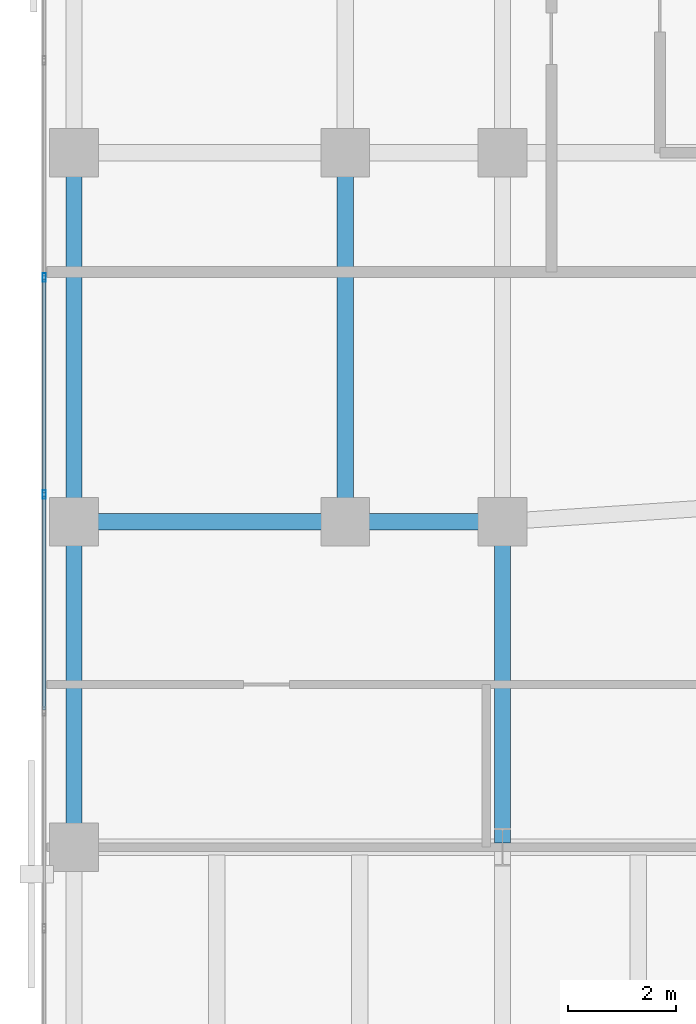
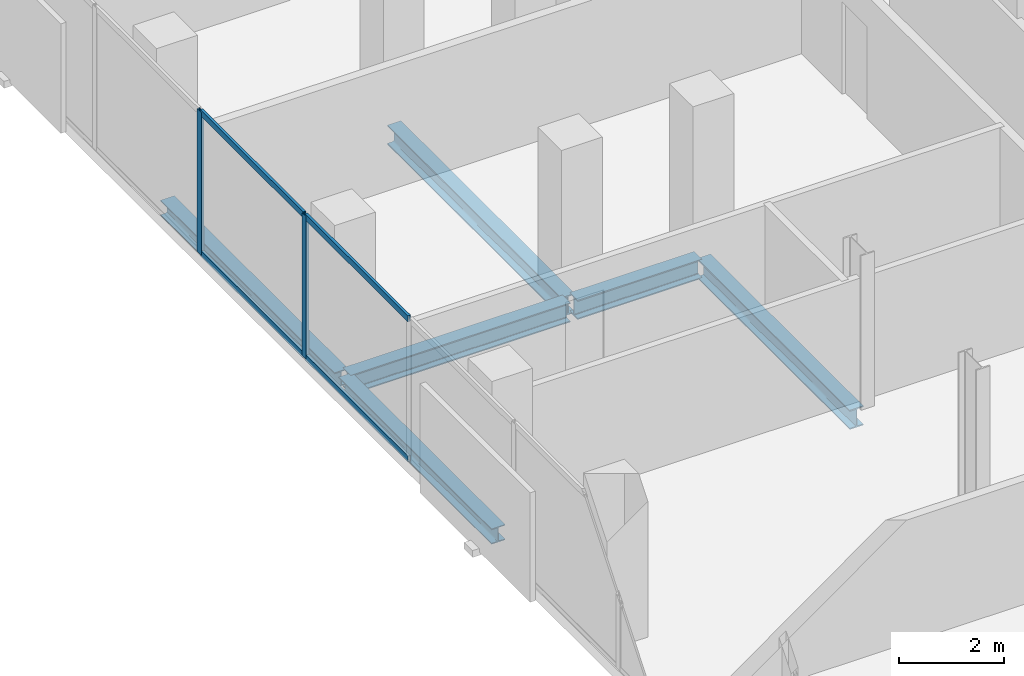
# One storey, part 9 of 33: 6 beams, 6 members, 1 element without a shape of its own.
"""IFC4 building model written with IfcOpenShell, lengths in metres."""

import ifcopenshell
import ifcopenshell.guid

model = None  # the IFC model being written
_history = None  # IfcOwnerHistory: only IFC2X3 demands one
_inside = {}  # id of a spatial element -> (the spatial element, [elements in it])
_under = {}  # id of a project, library or spatial element -> (it, [spatial elements below it])
_declared = {}  # id of a project -> (the project, [libraries it declares])
_typed = {}  # id of a type object -> (the type object, [elements of that type])
_made_of = {}  # id of a material, layer set ... -> (it, [elements and type objects made of it])


def new_model(schema):
    """Start an empty IFC model of exactly this schema.

    Asked for "IFC4X3", IfcOpenShell would pick the latest addendum, in which some entities
    have other attributes; the version numbers below select the first issue.
    IFC2X3 requires an IfcOwnerHistory on every rooted entity: one is made here for all.
    """
    global model, _history
    if schema == "IFC4X3":
        model = ifcopenshell.file(schema_version=(4, 3, 0, 0))
    else:
        model = ifcopenshell.file(schema=schema)
    _inside.clear()
    _under.clear()
    _declared.clear()
    _typed.clear()
    _made_of.clear()
    _history = None
    if model.schema == "IFC2X3":
        org = make("IfcOrganization", Name="unknown")
        user = make(
            "IfcPersonAndOrganization",
            ThePerson=make("IfcPerson", FamilyName="unknown"),
            TheOrganization=org,
        )
        app = make(
            "IfcApplication",
            ApplicationDeveloper=org,
            Version="unknown",
            ApplicationFullName="unknown",
            ApplicationIdentifier="unknown",
        )
        _history = make(
            "IfcOwnerHistory",
            OwningUser=user,
            OwningApplication=app,
            ChangeAction="ADDED",
            CreationDate=0,
        )
    return model


def make(cls, **values):
    """One entity of the class cls with the attributes given. An attribute that is None is left unset."""
    return model.create_entity(
        cls, **{name: value for name, value in values.items() if value is not None}
    )


def rooted(cls, **values):
    """An entity with a GlobalId (a new one), such as an element, a storey or a relation."""
    return make(cls, GlobalId=ifcopenshell.guid.new(), OwnerHistory=_history, **values)


def si_unit(unit_type, name, prefix=None):
    """IfcSIUnit, for example si_unit("LENGTHUNIT", "METRE", prefix="MILLI")."""
    return make("IfcSIUnit", UnitType=unit_type, Prefix=prefix, Name=name)


def assignment(units):
    """IfcUnitAssignment: the units of a project."""
    return None if units is None else make("IfcUnitAssignment", Units=units)


def point(xyz):
    """IfcCartesianPoint."""
    return None if xyz is None else make("IfcCartesianPoint", Coordinates=xyz)


def direction(xyz):
    """IfcDirection."""
    return None if xyz is None else make("IfcDirection", DirectionRatios=xyz)


def frame(location, z_axis=None, x_axis=None):
    """IfcAxis2Placement3D, a coordinate frame: its origin and axes. An axis left out is left unset."""
    return make(
        "IfcAxis2Placement3D",
        Location=point(location),
        Axis=direction(z_axis),
        RefDirection=direction(x_axis),
    )


def frame_2d(location, x_axis=None):
    """IfcAxis2Placement2D, a coordinate frame in the plane: its origin and x axis."""
    return make(
        "IfcAxis2Placement2D", Location=point(location), RefDirection=direction(x_axis)
    )


def origin():
    """The frame at (0, 0, 0) with its axes left unset."""
    return frame((0.0, 0.0, 0.0))


def origin_2d():
    """The frame at (0, 0) in the plane with its x axis left unset."""
    return frame_2d((0.0, 0.0))


def place(relative_to, where):
    """IfcLocalPlacement: puts the frame where relative to a parent placement (None: the world)."""
    return make(
        "IfcLocalPlacement", PlacementRelTo=relative_to, RelativePlacement=where
    )


def context(
    kind, dimensions, precision=None, world=None, true_north=None, identifier=None
):
    """IfcGeometricRepresentationContext, for example the 3D "Model" context."""
    return make(
        "IfcGeometricRepresentationContext",
        ContextIdentifier=identifier,
        ContextType=kind,
        CoordinateSpaceDimension=dimensions,
        Precision=precision,
        WorldCoordinateSystem=world,
        TrueNorth=true_north,
    )


def subcontext(parent, identifier, kind, view, scale=None):
    """IfcGeometricRepresentationSubContext, for example "Body" below "Model"."""
    return make(
        "IfcGeometricRepresentationSubContext",
        ContextIdentifier=identifier,
        ContextType=kind,
        ParentContext=parent,
        TargetScale=scale,
        TargetView=view,
    )


def project(units=None, contexts=None):
    """IfcProject with its units and contexts."""
    return rooted(
        "IfcProject",
        Name="project",
        RepresentationContexts=contexts,
        UnitsInContext=assignment(units),
    )


def spatial(cls, under=None, at=None, **own):
    """A site, building, storey or space (cls), placed at a placement, below another one or the project."""
    s = rooted(cls, ObjectPlacement=at, **own)
    if under is not None:
        _under.setdefault(under.id(), (under, []))[1].append(s)
    return s


def profile(cls, at=None, kind="AREA", **sizes):
    """A parametric profile (cls). Its sizes go by their IFC names, for example OverallWidth=200.0."""
    return make(cls, ProfileType=kind, Position=at, **sizes)


def hollow_rectangle(**sizes):
    """IfcRectangleHollowProfileDef."""
    return profile("IfcRectangleHollowProfileDef", **sizes)


def i_section(**sizes):
    """IfcIShapeProfileDef."""
    return profile("IfcIShapeProfileDef", **sizes)


def extrude(swept, where, along, depth):
    """IfcExtrudedAreaSolid: the profile swept, set in the frame where, extruded along a direction by depth."""
    return make(
        "IfcExtrudedAreaSolid",
        SweptArea=swept,
        Position=where,
        ExtrudedDirection=direction(along),
        Depth=depth,
    )


def shape(context_of_items, identifier, shape_type, items):
    """IfcShapeRepresentation: the items that make up one representation, for example the "Body"."""
    return make(
        "IfcShapeRepresentation",
        ContextOfItems=context_of_items,
        RepresentationIdentifier=identifier,
        RepresentationType=shape_type,
        Items=items,
    )


def material(Name=None, Category=None):
    """IfcMaterial."""
    return make("IfcMaterial", Name=Name, Category=Category)


def layer(
    of_material, thickness, ventilated=None, Name=None, Category=None, Priority=None
):
    """IfcMaterialLayer: one layer of a wall or slab, of a material (None: an air gap)."""
    return make(
        "IfcMaterialLayer",
        Material=of_material,
        LayerThickness=thickness,
        IsVentilated=ventilated,
        Name=Name,
        Category=Category,
        Priority=Priority,
    )


def layer_set(layers, Name=None):
    """IfcMaterialLayerSet."""
    return make("IfcMaterialLayerSet", MaterialLayers=layers, LayerSetName=Name)


def material_profile(
    of_material, cross_section, Name=None, Category=None, Priority=None
):
    """IfcMaterialProfile: a cross section and its material."""
    return make(
        "IfcMaterialProfile",
        Name=Name,
        Material=of_material,
        Profile=cross_section,
        Priority=Priority,
        Category=Category,
    )


def profile_set(profiles, Name=None, composite=None):
    """IfcMaterialProfileSet."""
    return make(
        "IfcMaterialProfileSet",
        Name=Name,
        MaterialProfiles=profiles,
        CompositeProfile=composite,
    )


def made_of(thing, what):
    """Note that an element or type object is made of a material, layer set ...; save() writes the relation."""
    if what is not None:
        _made_of.setdefault(what.id(), (what, []))[1].append(thing)
    return thing


def type_object(cls, material=None, **own):
    """A type object (cls), such as IfcWallType, which elements share."""
    return made_of(rooted(cls, **own), material)


def element(
    cls,
    number,
    at=None,
    inside=None,
    cuts=None,
    type_object=None,
    material=None,
    context=None,
    identifier="Body",
    shape_type=None,
    held_by="IfcProductDefinitionShape",
    body=None,
    shapes=None,
    **own,
):
    """One element of the class cls, such as IfcWall. Its Tag is "e" and its number.

    at: its placement. inside: the storey or other place that contains it. cuts: it is an
    opening in that element (IfcRelVoidsElement). A single representation is given by context,
    identifier, shape_type and body (its items); several are given by shapes. held_by: the class
    of the entity that holds the representations. save() writes the other relations.
    """
    e = rooted(cls, Tag="e%d" % number, ObjectPlacement=at, **own)
    if body is not None:
        shapes = [shape(context, identifier, shape_type, body)]
    if shapes is not None:
        e.Representation = make(held_by, Representations=shapes)
    if inside is not None:
        _inside.setdefault(inside.id(), (inside, []))[1].append(e)
    if cuts is not None:
        rooted(
            "IfcRelVoidsElement", RelatingBuildingElement=cuts, RelatedOpeningElement=e
        )
    if type_object is not None:
        _typed.setdefault(type_object.id(), (type_object, []))[1].append(e)
    return made_of(e, material)


def aggregate(whole, parts):
    """IfcRelAggregates: a whole, such as a stair, and the parts it consists of."""
    return rooted("IfcRelAggregates", RelatingObject=whole, RelatedObjects=parts)


def save(model, path):
    """Write the relations noted so far, then the file.

    IfcRelAggregates (storeys below a building ...), IfcRelContainedInSpatialStructure (elements
    in a storey), IfcRelDefinesByType, IfcRelAssociatesMaterial and IfcRelDeclares: one each for
    every whole, place, type object, material and project.
    """
    for whole, parts in _under.values():
        aggregate(whole, parts)
    for where, things in _inside.values():
        rooted(
            "IfcRelContainedInSpatialStructure",
            RelatedElements=things,
            RelatingStructure=where,
        )
    for kind, things in _typed.values():
        rooted("IfcRelDefinesByType", RelatedObjects=things, RelatingType=kind)
    for what, things in _made_of.values():
        rooted("IfcRelAssociatesMaterial", RelatedObjects=things, RelatingMaterial=what)
    for by, libraries in _declared.values():
        rooted("IfcRelDeclares", RelatingContext=by, RelatedDefinitions=libraries)
    model.write(path)


model = new_model("IFC4")

# Units and contexts
model_context = context("Model", 3, precision=1e-05, world=origin(), true_north=direction((0.0, 1.0)))
body_context = subcontext(model_context, "Body", "Model", "MODEL_VIEW")
ifc_project = project(units=[si_unit("LENGTHUNIT", "METRE"), si_unit("AREAUNIT", "SQUARE_METRE"), si_unit("VOLUMEUNIT", "CUBIC_METRE"), si_unit("PLANEANGLEUNIT", "RADIAN"), si_unit("MASSUNIT", "GRAM", prefix="KILO")], contexts=[model_context])

# Site, building, storey
site_placement = place(None, origin())
site = spatial("IfcSite", under=ifc_project, at=site_placement, CompositionType="ELEMENT")
building_placement = place(site_placement, origin())
building = spatial("IfcBuilding", under=site, at=building_placement, Name="Catumbela Crestline Tower", CompositionType="ELEMENT")
storey_placement = place(building_placement, frame((0.0, 0.0, 104.4)))
storey = spatial("IfcBuildingStorey", under=building, at=storey_placement, Name="L26", CompositionType="ELEMENT", Elevation=104.4)

# Beams
ifc_material_1 = material(Name="Structural steel S355J2", Category="steel")
ifc_material_profile_1 = material_profile(ifc_material_1, i_section(OverallWidth=0.3, OverallDepth=0.45, WebThickness=0.014, FlangeThickness=0.026, FilletRadius=0.027, at=origin_2d()), Name="HEB 450")
ifc_profile_set_1 = profile_set([ifc_material_profile_1], Name="Structural steel S355J2")
beam_type_1 = type_object("IfcBeamType", Name="BG-HEB450", PredefinedType="BEAM", material=ifc_profile_set_1)
beam_1_placement = place(storey_placement, frame((0.68, 24.0, -0.485), z_axis=(1.0, 0.0, 0.0), x_axis=(0.0, 1.0, 0.0)))
element("IfcBeam", 1, at=beam_1_placement, inside=storey, type_object=beam_type_1, Name="L26 Beam BM-L26-S01", PredefinedType="BEAM", context=body_context, shape_type="SweptSolid", body=[
    extrude(i_section(OverallWidth=0.3, OverallDepth=0.45, WebThickness=0.014, FlangeThickness=0.026, FilletRadius=0.027, at=origin_2d()), origin(), (0.0, 0.0, 1.0), 4.84),
])
beam_2_placement = place(storey_placement, frame((5.68, 24.0, -0.485), z_axis=(1.0, 0.0, 0.0), x_axis=(0.0, 1.0, 0.0)))
element("IfcBeam", 2, at=beam_2_placement, inside=storey, type_object=beam_type_1, Name="L26 Beam BM-L26-S02", PredefinedType="BEAM", context=body_context, shape_type="SweptSolid", body=[
    extrude(i_section(OverallWidth=0.3, OverallDepth=0.45, WebThickness=0.014, FlangeThickness=0.026, FilletRadius=0.027, at=origin_2d()), origin(), (0.0, 0.0, 1.0), 2.74),
])
beam_3_placement = place(storey_placement, frame((5.6, 24.08, -0.485), z_axis=(0.0, 1.0, 0.0), x_axis=(-1.0, 0.0, 0.0)))
element("IfcBeam", 3, at=beam_3_placement, inside=storey, type_object=beam_type_1, Name="L26 Beam BM-L26-SN24", PredefinedType="BEAM", context=body_context, shape_type="SweptSolid", body=[
    extrude(i_section(OverallWidth=0.3, OverallDepth=0.45, WebThickness=0.014, FlangeThickness=0.026, FilletRadius=0.027, at=origin_2d()), origin(), (0.0, 0.0, 1.0), 6.64),
])
beam_4_placement = place(storey_placement, frame((8.5, 18.08, -0.485), z_axis=(0.0, 1.0, 0.0), x_axis=(-1.0, 0.0, 0.0)))
element("IfcBeam", 4, at=beam_4_placement, inside=storey, type_object=beam_type_1, Name="L26 Beam BM-L26-WNS57", PredefinedType="BEAM", context=body_context, shape_type="SweptSolid", body=[
    extrude(i_section(OverallWidth=0.3, OverallDepth=0.45, WebThickness=0.014, FlangeThickness=0.026, FilletRadius=0.027, at=origin_2d()), origin(), (0.0, 0.0, 1.0), 5.84),
])

# Curtain wall, members
ifc_material_2 = material(Name="Aluminium alloy AW-6060-T66", Category="aluminium")
ifc_layer = layer(ifc_material_2, 0.18, Name="Aluminium alloy AW-6060-T66")
ifc_layer_set = layer_set([ifc_layer], Name="Aluminium alloy AW-6060-T66")
curtain_wall_type = type_object("IfcCurtainWallType", Name="CWU-Z2", PredefinedType="USERDEFINED", material=ifc_layer_set)
curtain_wall_placement = place(storey_placement, origin())
curtain_wall = element("IfcCurtainWall", 5, at=curtain_wall_placement, inside=storey, type_object=curtain_wall_type, Name="L26 Unitised Curtain Wall CW-L26-E9S1", ObjectType="UNITISED", PredefinedType="USERDEFINED")
ifc_material_profile_2 = material_profile(ifc_material_2, hollow_rectangle(XDim=0.06, YDim=0.16, WallThickness=0.004, at=origin_2d()), Name="ALU 160x60x4")
ifc_profile_set_2 = profile_set([ifc_material_profile_2], Name="Aluminium alloy AW-6060-T66")
member_type_1 = type_object("IfcMemberType", Name="MUL-160X60", PredefinedType="MULLION", material=ifc_profile_set_2)
member_1_placement = place(storey_placement, frame((0.05, 28.5, 0.0), z_axis=(0.0, 0.0, 1.0), x_axis=(1.0, 0.0, 0.0)))
member_1 = element("IfcMember", 6, at=member_1_placement, type_object=member_type_1, Name="CWU-Z2 mullion 5", PredefinedType="MULLION", context=body_context, shape_type="SweptSolid", body=[
    extrude(hollow_rectangle(XDim=0.06, YDim=0.16, WallThickness=0.004, at=origin_2d()), origin(), (0.0, 0.0, 1.0), 3.33),
])
member_2_placement = place(storey_placement, frame((0.05, 24.5, 0.0), z_axis=(0.0, 0.0, 1.0), x_axis=(1.0, 0.0, 0.0)))
member_2 = element("IfcMember", 7, at=member_2_placement, type_object=member_type_1, Name="CWU-Z2 mullion 6", PredefinedType="MULLION", context=body_context, shape_type="SweptSolid", body=[
    extrude(hollow_rectangle(XDim=0.06, YDim=0.16, WallThickness=0.004, at=origin_2d()), origin(), (0.0, 0.0, 1.0), 3.33),
])

# Beams
ifc_material_profile_3 = material_profile(ifc_material_1, i_section(OverallWidth=0.3, OverallDepth=0.36, WebThickness=0.0125, FlangeThickness=0.0225, FilletRadius=0.027, at=origin_2d()), Name="HEB 360")
ifc_profile_set_3 = profile_set([ifc_material_profile_3], Name="Structural steel S355J2")
beam_type_2 = type_object("IfcBeamType", Name="BS-HEB360", PredefinedType="SPANDREL", material=ifc_profile_set_3)
beam_5_placement = place(storey_placement, frame((0.6, 24.08, -0.44), z_axis=(0.0, 1.0, 0.0), x_axis=(-1.0, 0.0, 0.0)))
element("IfcBeam", 8, at=beam_5_placement, inside=storey, type_object=beam_type_2, Name="L26 Spandrel SP-L26-SN22", PredefinedType="SPANDREL", context=body_context, shape_type="SweptSolid", body=[
    extrude(i_section(OverallWidth=0.3, OverallDepth=0.36, WebThickness=0.0125, FlangeThickness=0.0225, FilletRadius=0.027, at=origin_2d()), origin(), (0.0, 0.0, 1.0), 6.64),
])
beam_6_placement = place(storey_placement, frame((0.6, 18.08, -0.44), z_axis=(0.0, 1.0, 0.0), x_axis=(-1.0, 0.0, 0.0)))
element("IfcBeam", 9, at=beam_6_placement, inside=storey, type_object=beam_type_2, Name="L26 Spandrel SP-L26-WNS54", PredefinedType="SPANDREL", context=body_context, shape_type="SweptSolid", body=[
    extrude(i_section(OverallWidth=0.3, OverallDepth=0.36, WebThickness=0.0125, FlangeThickness=0.0225, FilletRadius=0.027, at=origin_2d()), origin(), (0.0, 0.0, 1.0), 5.84),
])

# Member
ifc_material_profile_4 = material_profile(ifc_material_2, hollow_rectangle(XDim=0.06, YDim=0.14, WallThickness=0.004, at=origin_2d()), Name="ALU 140x60x4")
ifc_profile_set_4 = profile_set([ifc_material_profile_4], Name="Aluminium alloy AW-6060-T66")
member_type_2 = type_object("IfcMemberType", Name="TRN-140X60", PredefinedType="USERDEFINED", material=ifc_profile_set_4)
member_3_placement = place(storey_placement, frame((0.05, 28.4675, 0.03), z_axis=(0.0, -1.0, 0.0), x_axis=(1.0, 0.0, 0.0)))
member_3 = element("IfcMember", 10, at=member_3_placement, type_object=member_type_2, Name="CWU-Z2 transom 5.1", ObjectType="TRANSOM", PredefinedType="USERDEFINED", context=body_context, shape_type="SweptSolid", body=[
    extrude(hollow_rectangle(XDim=0.06, YDim=0.14, WallThickness=0.004, at=origin_2d()), origin(), (0.0, 0.0, 1.0), 3.935),
])

member_4_placement = place(storey_placement, frame((0.05, 28.4675, 3.3), z_axis=(0.0, -1.0, 0.0), x_axis=(1.0, 0.0, 0.0)))
member_4 = element("IfcMember", 11, at=member_4_placement, type_object=member_type_2, Name="CWU-Z2 transom 5.2", ObjectType="TRANSOM", PredefinedType="USERDEFINED", context=body_context, shape_type="SweptSolid", body=[
    extrude(hollow_rectangle(XDim=0.06, YDim=0.14, WallThickness=0.004, at=origin_2d()), origin(), (0.0, 0.0, 1.0), 3.935),
])

member_5_placement = place(storey_placement, frame((0.05, 24.4675, 0.03), z_axis=(0.0, -1.0, 0.0), x_axis=(1.0, 0.0, 0.0)))
member_5 = element("IfcMember", 12, at=member_5_placement, type_object=member_type_2, Name="CWU-Z2 transom 6.1", ObjectType="TRANSOM", PredefinedType="USERDEFINED", context=body_context, shape_type="SweptSolid", body=[
    extrude(hollow_rectangle(XDim=0.06, YDim=0.14, WallThickness=0.004, at=origin_2d()), origin(), (0.0, 0.0, 1.0), 3.935),
])

member_6_placement = place(storey_placement, frame((0.05, 24.4675, 3.3), z_axis=(0.0, -1.0, 0.0), x_axis=(1.0, 0.0, 0.0)))
member_6 = element("IfcMember", 13, at=member_6_placement, type_object=member_type_2, Name="CWU-Z2 transom 6.2", ObjectType="TRANSOM", PredefinedType="USERDEFINED", context=body_context, shape_type="SweptSolid", body=[
    extrude(hollow_rectangle(XDim=0.06, YDim=0.14, WallThickness=0.004, at=origin_2d()), origin(), (0.0, 0.0, 1.0), 3.935),
])

aggregate(curtain_wall, [member_1, member_2, member_3, member_4, member_5, member_6])

save(model, "model.ifc")
